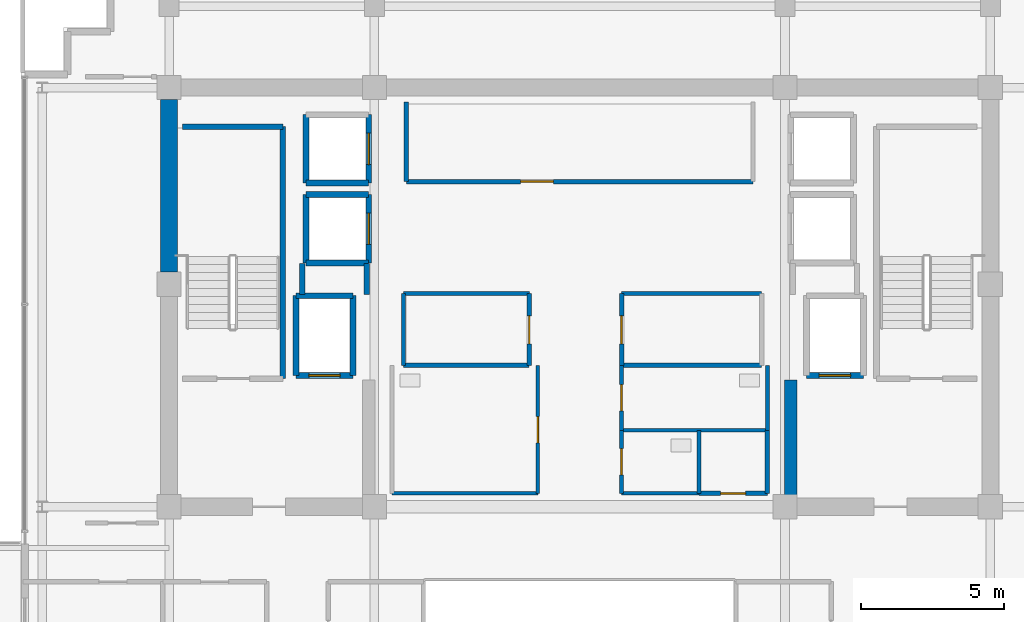
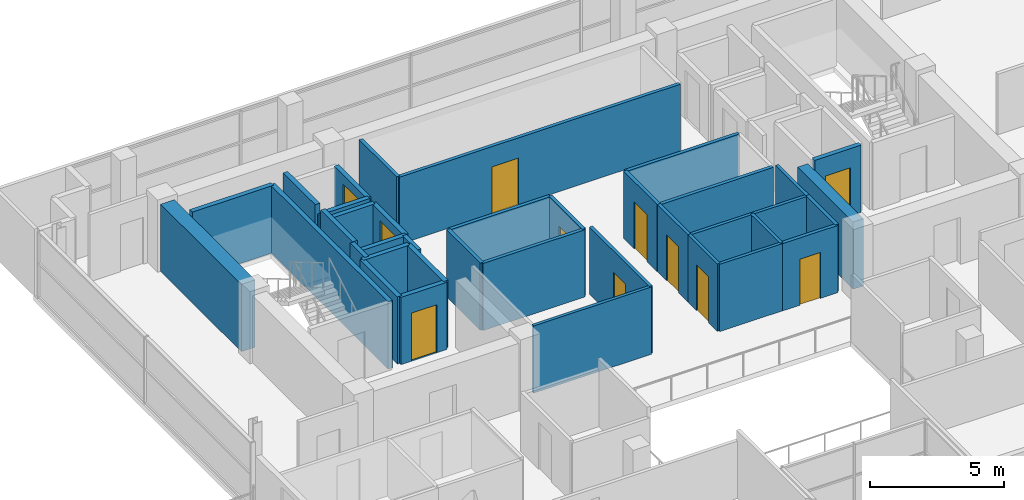
# One storey, part 16 of 21: 37 walls, 11 doors, 11 openings.
"""IFC4 building model written with IfcOpenShell, lengths in metres."""

from ifc_helpers import new_model, si_unit, direction, frame, frame_2d, origin, place, context, subcontext, project, spatial, rectangle, extrude, source, transform, mapped, material, layer, layer_set, type_object, element, fill, save


model = new_model("IFC4")

# Units and contexts
model_context = context("Model", 3, precision=1e-05, world=origin(), true_north=direction((0.0, 1.0)))
body_context = subcontext(model_context, "Body", "Model", "MODEL_VIEW")
ifc_project = project(units=[si_unit("LENGTHUNIT", "METRE"), si_unit("AREAUNIT", "SQUARE_METRE"), si_unit("VOLUMEUNIT", "CUBIC_METRE"), si_unit("PLANEANGLEUNIT", "RADIAN"), si_unit("MASSUNIT", "GRAM", prefix="KILO")], contexts=[model_context])

# Site, building, storey
site_placement = place(None, origin())
site = spatial("IfcSite", under=ifc_project, at=site_placement, CompositionType="ELEMENT")
building_placement = place(site_placement, origin())
building = spatial("IfcBuilding", under=site, at=building_placement, Name="Zarnakvel Exchange Tower", CompositionType="ELEMENT")
storey_placement = place(building_placement, frame((0.0, 0.0, 255.10009765625)))
storey = spatial("IfcBuildingStorey", under=building, at=storey_placement, Name="L72", CompositionType="ELEMENT", Elevation=255.10009765625)

# Walls
ifc_material_1 = material(Name="Concrete C50/60", Category="concrete")
ifc_layer_1 = layer(ifc_material_1, 0.60009765625)
ifc_layer_set_1 = layer_set([ifc_layer_1], Name="Concrete C50/60")
wall_type_1 = type_object("IfcWallType", Name="CW-C5", PredefinedType="SHEAR", material=ifc_layer_set_1)
wall_1_placement = place(storey_placement, frame((-14.39990234375, 7.02490234375, 0.0), z_axis=(0.0, 0.0, 1.0), x_axis=(0.0, 1.0, 0.0)))
element("IfcWall", 1, at=wall_1_placement, inside=storey, type_object=wall_type_1, Name="L72 Rear Core Shear Wall W2 (CW-C5)", PredefinedType="SHEAR", context=body_context, shape_type="SweptSolid", body=[
    extrude(rectangle(XDim=6.050048828125, YDim=0.60009765625, at=frame_2d((3.02490234375, 0.0))), origin(), (0.0, 0.0, 1.0), 3.074951171875),
])
ifc_layer_2 = layer(ifc_material_1, 0.449951171875)
ifc_layer_set_2 = layer_set([ifc_layer_2], Name="Concrete C50/60")
wall_type_2 = type_object("IfcWallType", Name="CW-C6", PredefinedType="SHEAR", material=ifc_layer_set_2)
wall_2_placement = place(storey_placement, frame((7.39990234375, -0.89990234375, 0.0), z_axis=(0.0, 0.0, 1.0), x_axis=(0.0, 1.0, 0.0)))
element("IfcWall", 2, at=wall_2_placement, inside=storey, type_object=wall_type_2, Name="L72 Rear Core Shear Wall IE (CW-C6)", PredefinedType="SHEAR", context=body_context, shape_type="SweptSolid", body=[
    extrude(rectangle(XDim=4.14990234375, YDim=0.449951171875, at=frame_2d((2.074951171875, 0.0))), origin(), (0.0, 0.0, 1.0), 3.074951171875),
])

# Wall, opening, door
ifc_material_2 = material(Name="Fire-Rated Gypsum Stud Partition", Category="gypsum")
ifc_layer_3 = layer(ifc_material_2, 0.14990234375)
ifc_layer_set_3 = layer_set([ifc_layer_3], Name="Fire-Rated Gypsum Stud Partition")
wall_type_3 = type_object("IfcWallType", Name="PT-01", PredefinedType="PARTITIONING", material=ifc_layer_set_3)
wall_3_placement = place(storey_placement, frame((6.080078125, 10.199951171875, 0.0), z_axis=(0.0, 0.0, 1.0), x_axis=(-1.0, 0.0, 0.0)))
wall_3 = element("IfcWall", 3, at=wall_3_placement, inside=storey, type_object=wall_type_3, Name="L72 Partition Wall PWALL-L72-011 (PT-01)", PredefinedType="PARTITIONING", context=body_context, shape_type="SweptSolid", body=[
    extrude(rectangle(XDim=12.16015625, YDim=0.14990234375, at=frame_2d((6.080078125, 0.0))), origin(), (0.0, 0.0, 1.0), 3.074951171875),
])
opening_1_placement = place(wall_3_placement, frame((7.0048828125, 0.0, 0.0)))
opening_1 = element("IfcOpeningElement", 4, at=opening_1_placement, cuts=wall_3, Name="Opening D-L72-05", PredefinedType="OPENING", context=body_context, shape_type="SweptSolid", body=[
    extrude(rectangle(XDim=1.14990234375, YDim=2.14990234375, at=frame_2d((0.574951171875, 1.074951171875))), frame((0.0, 0.0849609375, 0.0), z_axis=(0.0, -1.0, 0.0), x_axis=(1.0, 0.0, 0.0)), (0.0, 0.0, 1.0), 0.169921875),
])
ifc_material_3 = material(Name="Painted Galvanised Steel S355", Category="steel")
door_type_1 = type_object("IfcDoorType", Name="DT-04", OperationType="NOTDEFINED", PredefinedType="DOOR", material=ifc_material_3)
shared_shape_1 = source(origin(), body_context, "Body", "SweptSolid", [
    extrude(rectangle(XDim=1.14990234375, YDim=2.14990234375, at=frame_2d((0.574951171875, 1.074951171875))), frame((0.0, 0.02490234375, 0.0), z_axis=(0.0, -1.0, 0.0), x_axis=(1.0, 0.0, 0.0)), (0.0, 0.0, 1.0), 0.050048828125),
])
door_1_placement = place(opening_1_placement, origin())
door_1 = element("IfcDoor", 5, at=door_1_placement, inside=storey, type_object=door_type_1, Name="L72 Market Data Archive Suite Door D-L72-05", OperationType="SINGLE_SWING_RIGHT", OverallHeight=2.14990234375, OverallWidth=1.14990234375, PredefinedType="DOOR", context=body_context, shape_type="MappedRepresentation", body=[
    mapped(shared_shape_1, transform((0.0, 0.0, 0.0), x_axis=(1.0, 0.0, 0.0), y_axis=(0.0, 1.0, 0.0), z_axis=(0.0, 0.0, 1.0), scale=1.0)),
])
fill(opening_1, door_1)

# Walls
wall_4_placement = place(storey_placement, frame((-6.080078125, 10.199951171875, 0.0), z_axis=(0.0, 0.0, 1.0), x_axis=(0.0, 1.0, 0.0)))
element("IfcWall", 6, at=wall_4_placement, inside=storey, type_object=wall_type_3, Name="L72 Partition Wall PWALL-L72-012 (PT-01)", PredefinedType="PARTITIONING", context=body_context, shape_type="SweptSolid", body=[
    extrude(rectangle(XDim=2.800048828125, YDim=0.14990234375, at=frame_2d((1.39990234375, 0.0))), origin(), (0.0, 0.0, 1.0), 3.074951171875),
])
for number, where, z_axis, x_axis, name in (
    (7, (-1.77001953125, 3.760009765625, 0.0), (0.0, 0.0, 1.0), (-1.0, 0.0, 0.0), "L72 Partition Wall PWALL-L72-014 (PT-01)"),
    (8, (-6.179931640625, 6.280029296875, 0.0), (0.0, 0.0, 1.0), (1.0, 0.0, 0.0), "L72 Partition Wall PWALL-L72-015 (PT-01)"),
):
    element("IfcWall", number, at=place(storey_placement, frame(where, z_axis=z_axis, x_axis=x_axis)), inside=storey, type_object=wall_type_3, Name=name, PredefinedType="PARTITIONING", context=body_context, shape_type="SweptSolid", body=[
        extrude(rectangle(XDim=4.409912109375, YDim=0.14990234375, at=frame_2d((2.205078125, 0.0))), origin(), (0.0, 0.0, 1.0), 3.074951171875),
    ])
wall_5_placement = place(storey_placement, frame((-6.179931640625, 3.760009765625, 0.0), z_axis=(0.0, 0.0, 1.0), x_axis=(0.0, 1.0, 0.0)))
element("IfcWall", 9, at=wall_5_placement, inside=storey, type_object=wall_type_3, Name="L72 Partition Wall PWALL-L72-016 (PT-01)", PredefinedType="PARTITIONING", context=body_context, shape_type="SweptSolid", body=[
    extrude(rectangle(XDim=2.52001953125, YDim=0.14990234375, at=frame_2d((1.260009765625, 0.0))), origin(), (0.0, 0.0, 1.0), 3.074951171875),
])

# Wall, opening, door
wall_6_placement = place(storey_placement, frame((-1.77001953125, 6.280029296875, 0.0), z_axis=(0.0, 0.0, 1.0), x_axis=(0.0, -1.0, 0.0)))
wall_6 = element("IfcWall", 10, at=wall_6_placement, inside=storey, type_object=wall_type_3, Name="L72 Partition Wall PWALL-L72-017 (PT-01)", PredefinedType="PARTITIONING", context=body_context, shape_type="SweptSolid", body=[
    extrude(rectangle(XDim=2.52001953125, YDim=0.14990234375, at=frame_2d((1.260009765625, 0.0))), origin(), (0.0, 0.0, 1.0), 3.074951171875),
])
opening_2_placement = place(wall_6_placement, frame((0.7900390625, 0.0, 0.0)))
opening_2 = element("IfcOpeningElement", 11, at=opening_2_placement, cuts=wall_6, Name="Opening D-L72-06", PredefinedType="OPENING", context=body_context, shape_type="SweptSolid", body=[
    extrude(rectangle(XDim=0.97998046875, YDim=2.14990234375, at=frame_2d((0.489990234375, 1.074951171875))), frame((0.0, 0.0849609375, 0.0), z_axis=(0.0, -1.0, 0.0), x_axis=(1.0, 0.0, 0.0)), (0.0, 0.0, 1.0), 0.169921875),
])
ifc_material_4 = material(Name="Timber Acoustic Veneer", Category="wood")
door_type_2 = type_object("IfcDoorType", Name="DT-05", OperationType="NOTDEFINED", PredefinedType="DOOR", material=ifc_material_4)
shared_shape_2 = source(origin(), body_context, "Body", "SweptSolid", [
    extrude(rectangle(XDim=0.97998046875, YDim=2.14990234375, at=frame_2d((0.489990234375, 1.074951171875))), frame((0.0, 0.02490234375, 0.0), z_axis=(0.0, -1.0, 0.0), x_axis=(1.0, 0.0, 0.0)), (0.0, 0.0, 1.0), 0.050048828125),
])
door_2_placement = place(opening_2_placement, origin())
door_2 = element("IfcDoor", 12, at=door_2_placement, inside=storey, type_object=door_type_2, Name="L72 Sovereign Compliance Office Door D-L72-06", OperationType="SINGLE_SWING_LEFT", OverallHeight=2.14990234375, OverallWidth=0.97998046875, PredefinedType="DOOR", context=body_context, shape_type="MappedRepresentation", body=[
    mapped(shared_shape_2, transform((0.0, 0.0, 0.0), x_axis=(1.0, 0.0, 0.0), y_axis=(0.0, 1.0, 0.0), z_axis=(0.0, 0.0, 1.0), scale=1.0)),
])
fill(opening_2, door_2)

# Walls
for number, where, z_axis, x_axis, name in (
    (13, (6.3798828125, 3.760009765625, 0.0), (0.0, 0.0, 1.0), (-1.0, 0.0, 0.0), "L72 Partition Wall PWALL-L72-018 (PT-01)"),
    (14, (1.469970703125, 6.280029296875, 0.0), (0.0, 0.0, 1.0), (1.0, 0.0, 0.0), "L72 Partition Wall PWALL-L72-019 (PT-01)"),
):
    element("IfcWall", number, at=place(storey_placement, frame(where, z_axis=z_axis, x_axis=x_axis)), inside=storey, type_object=wall_type_3, Name=name, PredefinedType="PARTITIONING", context=body_context, shape_type="SweptSolid", body=[
        extrude(rectangle(XDim=4.909912109375, YDim=0.14990234375, at=frame_2d((2.455078125, 0.0))), origin(), (0.0, 0.0, 1.0), 3.074951171875),
    ])

# Wall, opening, door
wall_7_placement = place(storey_placement, frame((1.469970703125, 3.760009765625, 0.0), z_axis=(0.0, 0.0, 1.0), x_axis=(0.0, 1.0, 0.0)))
wall_7 = element("IfcWall", 15, at=wall_7_placement, inside=storey, type_object=wall_type_3, Name="L72 Partition Wall PWALL-L72-020 (PT-01)", PredefinedType="PARTITIONING", context=body_context, shape_type="SweptSolid", body=[
    extrude(rectangle(XDim=2.52001953125, YDim=0.14990234375, at=frame_2d((1.260009765625, 0.0))), origin(), (0.0, 0.0, 1.0), 3.074951171875),
])
opening_3_placement = place(wall_7_placement, frame((0.75, 0.0, 0.0)))
opening_3 = element("IfcOpeningElement", 16, at=opening_3_placement, cuts=wall_7, Name="Opening D-L72-07", PredefinedType="OPENING", context=body_context, shape_type="SweptSolid", body=[
    extrude(rectangle(XDim=0.97998046875, YDim=2.14990234375, at=frame_2d((0.489990234375, 1.074951171875))), frame((0.0, 0.0849609375, 0.0), z_axis=(0.0, -1.0, 0.0), x_axis=(1.0, 0.0, 0.0)), (0.0, 0.0, 1.0), 0.169921875),
])
door_3_placement = place(opening_3_placement, origin())
door_3 = element("IfcDoor", 17, at=door_3_placement, inside=storey, type_object=door_type_2, Name="L72 Depository Legal Office Door D-L72-07", OperationType="SINGLE_SWING_RIGHT", OverallHeight=2.14990234375, OverallWidth=0.97998046875, PredefinedType="DOOR", context=body_context, shape_type="MappedRepresentation", body=[
    mapped(shared_shape_2, transform((0.0, 0.0, 0.0), x_axis=(1.0, 0.0, 0.0), y_axis=(0.0, 1.0, 0.0), z_axis=(0.0, 0.0, 1.0), scale=1.0)),
])
fill(opening_3, door_3)

wall_8_placement = place(storey_placement, frame((6.580078125, -0.72998046875, 0.0), z_axis=(0.0, 0.0, 1.0), x_axis=(-1.0, 0.0, 0.0)))
wall_8 = element("IfcWall", 18, at=wall_8_placement, inside=storey, type_object=wall_type_3, Name="L72 Partition Wall PWALL-L72-031 (PT-01)", PredefinedType="PARTITIONING", context=body_context, shape_type="SweptSolid", body=[
    extrude(rectangle(XDim=2.400146484375, YDim=0.14990234375, at=frame_2d((1.2001953125, 0.0))), origin(), (0.0, 0.0, 1.0), 3.074951171875),
])
opening_4_placement = place(wall_8_placement, frame((0.760009765625, 0.0, 0.0)))
opening_4 = element("IfcOpeningElement", 19, at=opening_4_placement, cuts=wall_8, Name="Opening D-L72-11", PredefinedType="OPENING", context=body_context, shape_type="SweptSolid", body=[
    extrude(rectangle(XDim=0.8798828125, YDim=2.10009765625, at=frame_2d((0.43994140625, 1.050048828125))), frame((0.0, 0.0849609375, 0.0), z_axis=(0.0, -1.0, 0.0), x_axis=(1.0, 0.0, 0.0)), (0.0, 0.0, 1.0), 0.169921875),
])
door_type_3 = type_object("IfcDoorType", Name="DT-08", OperationType="NOTDEFINED", PredefinedType="DOOR", material=ifc_material_3)
shared_shape_3 = source(origin(), body_context, "Body", "SweptSolid", [
    extrude(rectangle(XDim=0.8798828125, YDim=2.10009765625, at=frame_2d((0.43994140625, 1.050048828125))), frame((0.0, 0.02490234375, 0.0), z_axis=(0.0, -1.0, 0.0), x_axis=(1.0, 0.0, 0.0)), (0.0, 0.0, 1.0), 0.050048828125),
])
door_4_placement = place(opening_4_placement, origin())
door_4 = element("IfcDoor", 20, at=door_4_placement, inside=storey, type_object=door_type_3, Name="L72 Cleaners Store Door D-L72-11", OperationType="SINGLE_SWING_RIGHT", OverallHeight=2.10009765625, OverallWidth=0.8798828125, PredefinedType="DOOR", context=body_context, shape_type="MappedRepresentation", body=[
    mapped(shared_shape_3, transform((0.0, 0.0, 0.0), x_axis=(1.0, 0.0, 0.0), y_axis=(0.0, 1.0, 0.0), z_axis=(0.0, 0.0, 1.0), scale=1.0)),
])
fill(opening_4, door_4)

# Walls
wall_9_placement = place(storey_placement, frame((6.580078125, 1.47998046875, 0.0), z_axis=(0.0, 0.0, 1.0), x_axis=(0.0, -1.0, 0.0)))
element("IfcWall", 21, at=wall_9_placement, inside=storey, type_object=wall_type_3, Name="L72 Partition Wall PWALL-L72-032 (PT-01)", PredefinedType="PARTITIONING", context=body_context, shape_type="SweptSolid", body=[
    extrude(rectangle(XDim=2.2099609375, YDim=0.14990234375, at=frame_2d((1.10498046875, 0.0))), origin(), (0.0, 0.0, 1.0), 3.074951171875),
])
ifc_layer_4 = layer(ifc_material_2, 0.179931640625)
ifc_layer_set_4 = layer_set([ifc_layer_4], Name="Fire-Rated Gypsum Stud Partition")
wall_type_4 = type_object("IfcWallType", Name="PT-02", PredefinedType="PARTITIONING", material=ifc_layer_set_4)
wall_10_placement = place(storey_placement, frame((-9.72998046875, 6.239990234375, 0.0), z_axis=(0.0, 0.0, 1.0), x_axis=(0.0, 1.0, 0.0)))
element("IfcWall", 22, at=wall_10_placement, inside=storey, type_object=wall_type_4, Name="L72 Partition Wall PWALL-L72-007 (PT-02)", PredefinedType="PARTITIONING", context=body_context, shape_type="SweptSolid", body=[
    extrude(rectangle(XDim=1.090087890625, YDim=0.179931640625, at=frame_2d((0.544921875, 0.0))), origin(), (0.0, 0.0, 1.0), 3.074951171875),
])
wall_11_placement = place(storey_placement, frame((-7.469970703125, 7.330078125, 0.0), z_axis=(0.0, 0.0, 1.0), x_axis=(0.0, -1.0, 0.0)))
element("IfcWall", 23, at=wall_11_placement, inside=storey, type_object=wall_type_4, Name="L72 Partition Wall PWALL-L72-008 (PT-02)", PredefinedType="PARTITIONING", context=body_context, shape_type="SweptSolid", body=[
    extrude(rectangle(XDim=1.090087890625, YDim=0.179931640625, at=frame_2d((0.544921875, 0.0))), origin(), (0.0, 0.0, 1.0), 2.614990234375),
])
ifc_material_5 = material(Name="Moisture-Resistant Tile-Faced Partition", Category="gypsum")
ifc_layer_5 = layer(ifc_material_5, 0.135009765625)
ifc_layer_set_5 = layer_set([ifc_layer_5], Name="Moisture-Resistant Tile-Faced Partition")
wall_type_5 = type_object("IfcWallType", Name="PT-03", PredefinedType="PARTITIONING", material=ifc_layer_set_5)
wall_12_placement = place(storey_placement, frame((-1.469970703125, -0.72998046875, 0.0), z_axis=(0.0, 0.0, 1.0), x_axis=(-1.0, 0.0, 0.0)))
element("IfcWall", 24, at=wall_12_placement, inside=storey, type_object=wall_type_5, Name="L72 Partition Wall PWALL-L72-022 (PT-03)", PredefinedType="PARTITIONING", context=body_context, shape_type="SweptSolid", body=[
    extrude(rectangle(XDim=5.110107421875, YDim=0.135009765625, at=frame_2d((2.55517578125, 0.0))), origin(), (0.0, 0.0, 1.0), 3.074951171875),
])

# Wall, opening, door
wall_13_placement = place(storey_placement, frame((-1.469970703125, 3.760009765625, 0.0), z_axis=(0.0, 0.0, 1.0), x_axis=(0.0, -1.0, 0.0)))
wall_13 = element("IfcWall", 25, at=wall_13_placement, inside=storey, type_object=wall_type_5, Name="L72 Partition Wall PWALL-L72-024 (PT-03)", PredefinedType="PARTITIONING", context=body_context, shape_type="SweptSolid", body=[
    extrude(rectangle(XDim=4.489990234375, YDim=0.135009765625, at=frame_2d((2.2451171875, 0.0))), origin(), (0.0, 0.0, 1.0), 3.074951171875),
])
opening_5_placement = place(wall_13_placement, frame((1.800048828125, 0.0, 0.0)))
opening_5 = element("IfcOpeningElement", 26, at=opening_5_placement, cuts=wall_13, Name="Opening D-L72-08", PredefinedType="OPENING", context=body_context, shape_type="SweptSolid", body=[
    extrude(rectangle(XDim=0.919921875, YDim=2.10009765625, at=frame_2d((0.4599609375, 1.050048828125))), frame((0.0, 0.077392578125, 0.0), z_axis=(0.0, -1.0, 0.0), x_axis=(1.0, 0.0, 0.0)), (0.0, 0.0, 1.0), 0.155029296875),
])
ifc_material_6 = material(Name="Moisture-Resistant Laminate Timber", Category="wood")
door_type_4 = type_object("IfcDoorType", Name="DT-07", OperationType="NOTDEFINED", PredefinedType="DOOR", material=ifc_material_6)
shared_shape_4 = source(origin(), body_context, "Body", "SweptSolid", [
    extrude(rectangle(XDim=0.919921875, YDim=2.10009765625, at=frame_2d((0.4599609375, 1.050048828125))), frame((0.0, 0.02490234375, 0.0), z_axis=(0.0, -1.0, 0.0), x_axis=(1.0, 0.0, 0.0)), (0.0, 0.0, 1.0), 0.050048828125),
])
door_5_placement = place(opening_5_placement, origin())
door_5 = element("IfcDoor", 27, at=door_5_placement, inside=storey, type_object=door_type_4, Name="L72 Male Toilet Door D-L72-08", OperationType="SINGLE_SWING_LEFT", OverallHeight=2.10009765625, OverallWidth=0.919921875, PredefinedType="DOOR", context=body_context, shape_type="MappedRepresentation", body=[
    mapped(shared_shape_4, transform((0.0, 0.0, 0.0), x_axis=(1.0, 0.0, 0.0), y_axis=(0.0, 1.0, 0.0), z_axis=(0.0, 0.0, 1.0), scale=1.0)),
])
fill(opening_5, door_5)

# Wall
wall_14_placement = place(storey_placement, frame((6.580078125, 1.47998046875, 0.0), z_axis=(0.0, 0.0, 1.0), x_axis=(-1.0, 0.0, 0.0)))
element("IfcWall", 28, at=wall_14_placement, inside=storey, type_object=wall_type_5, Name="L72 Partition Wall PWALL-L72-025 (PT-03)", PredefinedType="PARTITIONING", context=body_context, shape_type="SweptSolid", body=[
    extrude(rectangle(XDim=5.110107421875, YDim=0.135009765625, at=frame_2d((2.55517578125, 0.0))), origin(), (0.0, 0.0, 1.0), 3.074951171875),
])

# Wall, opening, door
wall_15_placement = place(storey_placement, frame((1.469970703125, 1.47998046875, 0.0), z_axis=(0.0, 0.0, 1.0), x_axis=(0.0, 1.0, 0.0)))
wall_15 = element("IfcWall", 29, at=wall_15_placement, inside=storey, type_object=wall_type_5, Name="L72 Partition Wall PWALL-L72-026 (PT-03)", PredefinedType="PARTITIONING", context=body_context, shape_type="SweptSolid", body=[
    extrude(rectangle(XDim=2.280029296875, YDim=0.135009765625, at=frame_2d((1.14013671875, 0.0))), origin(), (0.0, 0.0, 1.0), 3.074951171875),
])
opening_6_placement = place(wall_15_placement, frame((0.679931640625, 0.0, 0.0)))
opening_6 = element("IfcOpeningElement", 30, at=opening_6_placement, cuts=wall_15, Name="Opening D-L72-09", PredefinedType="OPENING", context=body_context, shape_type="SweptSolid", body=[
    extrude(rectangle(XDim=0.919921875, YDim=2.10009765625, at=frame_2d((0.4599609375, 1.050048828125))), frame((0.0, 0.077392578125, 0.0), z_axis=(0.0, -1.0, 0.0), x_axis=(1.0, 0.0, 0.0)), (0.0, 0.0, 1.0), 0.155029296875),
])
door_6_placement = place(opening_6_placement, origin())
door_6 = element("IfcDoor", 31, at=door_6_placement, inside=storey, type_object=door_type_4, Name="L72 Female Toilet Door D-L72-09", OperationType="SINGLE_SWING_RIGHT", OverallHeight=2.10009765625, OverallWidth=0.919921875, PredefinedType="DOOR", context=body_context, shape_type="MappedRepresentation", body=[
    mapped(shared_shape_4, transform((0.0, 0.0, 0.0), x_axis=(1.0, 0.0, 0.0), y_axis=(0.0, 1.0, 0.0), z_axis=(0.0, 0.0, 1.0), scale=1.0)),
])
fill(opening_6, door_6)

# Walls
wall_16_placement = place(storey_placement, frame((6.580078125, 3.760009765625, 0.0), z_axis=(0.0, 0.0, 1.0), x_axis=(0.0, -1.0, 0.0)))
element("IfcWall", 32, at=wall_16_placement, inside=storey, type_object=wall_type_5, Name="L72 Partition Wall PWALL-L72-027 (PT-03)", PredefinedType="PARTITIONING", context=body_context, shape_type="SweptSolid", body=[
    extrude(rectangle(XDim=2.280029296875, YDim=0.135009765625, at=frame_2d((1.14013671875, 0.0))), origin(), (0.0, 0.0, 1.0), 3.074951171875),
])
wall_17_placement = place(storey_placement, frame((4.179931640625, -0.72998046875, 0.0), z_axis=(0.0, 0.0, 1.0), x_axis=(-1.0, 0.0, 0.0)))
element("IfcWall", 33, at=wall_17_placement, inside=storey, type_object=wall_type_5, Name="L72 Partition Wall PWALL-L72-028 (PT-03)", PredefinedType="PARTITIONING", context=body_context, shape_type="SweptSolid", body=[
    extrude(rectangle(XDim=2.7099609375, YDim=0.135009765625, at=frame_2d((1.35498046875, 0.0))), origin(), (0.0, 0.0, 1.0), 3.074951171875),
])

# Wall, opening, door
wall_18_placement = place(storey_placement, frame((1.469970703125, -0.72998046875, 0.0), z_axis=(0.0, 0.0, 1.0), x_axis=(0.0, 1.0, 0.0)))
wall_18 = element("IfcWall", 34, at=wall_18_placement, inside=storey, type_object=wall_type_5, Name="L72 Partition Wall PWALL-L72-029 (PT-03)", PredefinedType="PARTITIONING", context=body_context, shape_type="SweptSolid", body=[
    extrude(rectangle(XDim=2.2099609375, YDim=0.135009765625, at=frame_2d((1.10498046875, 0.0))), origin(), (0.0, 0.0, 1.0), 3.074951171875),
])
opening_7_placement = place(wall_18_placement, frame((0.64990234375, 0.0, 0.0)))
opening_7 = element("IfcOpeningElement", 35, at=opening_7_placement, cuts=wall_18, Name="Opening D-L72-10", PredefinedType="OPENING", context=body_context, shape_type="SweptSolid", body=[
    extrude(rectangle(XDim=0.919921875, YDim=2.10009765625, at=frame_2d((0.4599609375, 1.050048828125))), frame((0.0, 0.077392578125, 0.0), z_axis=(0.0, -1.0, 0.0), x_axis=(1.0, 0.0, 0.0)), (0.0, 0.0, 1.0), 0.155029296875),
])
door_7_placement = place(opening_7_placement, origin())
door_7 = element("IfcDoor", 36, at=door_7_placement, inside=storey, type_object=door_type_4, Name="L72 Accessible Toilet Door D-L72-10", OperationType="SINGLE_SWING_LEFT", OverallHeight=2.10009765625, OverallWidth=0.919921875, PredefinedType="DOOR", context=body_context, shape_type="MappedRepresentation", body=[
    mapped(shared_shape_4, transform((0.0, 0.0, 0.0), x_axis=(1.0, 0.0, 0.0), y_axis=(0.0, 1.0, 0.0), z_axis=(0.0, 0.0, 1.0), scale=1.0)),
])
fill(opening_7, door_7)

# Wall
wall_19_placement = place(storey_placement, frame((4.179931640625, 1.47998046875, 0.0), z_axis=(0.0, 0.0, 1.0), x_axis=(0.0, -1.0, 0.0)))
element("IfcWall", 37, at=wall_19_placement, inside=storey, type_object=wall_type_5, Name="L72 Partition Wall PWALL-L72-030 (PT-03)", PredefinedType="PARTITIONING", context=body_context, shape_type="SweptSolid", body=[
    extrude(rectangle(XDim=2.2099609375, YDim=0.135009765625, at=frame_2d((1.10498046875, 0.0))), origin(), (0.0, 0.0, 1.0), 3.074951171875),
])

# Wall, opening, door
ifc_material_7 = material(Name="Concrete C40/50", Category="concrete")
ifc_layer_6 = layer(ifc_material_7, 0.199951171875)
ifc_layer_set_6 = layer_set([ifc_layer_6], Name="Concrete C40/50")
wall_type_6 = type_object("IfcWallType", Name="SW-01", PredefinedType="SOLIDWALL", material=ifc_layer_set_6)
wall_20_placement = place(storey_placement, frame((-7.949951171875, 3.39990234375, 0.0), z_axis=(0.0, 0.0, 1.0), x_axis=(-1.0, 0.0, 0.0)))
wall_20 = element("IfcWall", 38, at=wall_20_placement, inside=storey, type_object=wall_type_6, Name="L72 FL-01 Hoistway Wall South", PredefinedType="SOLIDWALL", context=body_context, shape_type="SweptSolid", body=[
    extrude(rectangle(XDim=2.0, YDim=0.199951171875, at=frame_2d((1.0, 0.0))), origin(), (0.0, 0.0, 1.0), 3.074951171875),
])
opening_8_placement = place(wall_20_placement, frame((0.449951171875, 0.0, 0.0)))
opening_8 = element("IfcOpeningElement", 39, at=opening_8_placement, cuts=wall_20, Name="Opening LD-FL-01-L72", PredefinedType="OPENING", context=body_context, shape_type="SweptSolid", body=[
    extrude(rectangle(XDim=1.10009765625, YDim=2.199951171875, at=frame_2d((0.550048828125, 1.10009765625))), frame((0.0, 0.10986328125, 0.0), z_axis=(0.0, -1.0, 0.0), x_axis=(1.0, 0.0, 0.0)), (0.0, 0.0, 1.0), 0.219970703125),
])
ifc_material_8 = material(Name="Brushed Stainless Steel", Category="steel")
door_type_5 = type_object("IfcDoorType", Name="LDT-01", OperationType="NOTDEFINED", PredefinedType="DOOR", material=ifc_material_8)
shared_shape_5 = source(origin(), body_context, "Body", "SweptSolid", [
    extrude(rectangle(XDim=1.10009765625, YDim=2.199951171875, at=frame_2d((0.550048828125, 1.10009765625))), frame((0.0, 0.02490234375, 0.0), z_axis=(0.0, -1.0, 0.0), x_axis=(1.0, 0.0, 0.0)), (0.0, 0.0, 1.0), 0.050048828125),
])
door_8_placement = place(opening_8_placement, origin())
door_8 = element("IfcDoor", 40, at=door_8_placement, inside=storey, type_object=door_type_5, Name="L72 FL-01 Lift Landing Door LD-FL-01-L72", OperationType="DOUBLE_DOOR_SLIDING", OverallHeight=2.199951171875, OverallWidth=1.10009765625, PredefinedType="DOOR", context=body_context, shape_type="MappedRepresentation", body=[
    mapped(shared_shape_5, transform((0.0, 0.0, 0.0), x_axis=(1.0, 0.0, 0.0), y_axis=(0.0, 1.0, 0.0), z_axis=(0.0, 0.0, 1.0), scale=1.0)),
])
fill(opening_8, door_8)

# Walls
wall_21_placement = place(storey_placement, frame((-9.949951171875, 6.199951171875, 0.0), z_axis=(0.0, 0.0, 1.0), x_axis=(1.0, 0.0, 0.0)))
element("IfcWall", 41, at=wall_21_placement, inside=storey, type_object=wall_type_6, Name="L72 FL-01 Hoistway Wall North", PredefinedType="SOLIDWALL", context=body_context, shape_type="SweptSolid", body=[
    extrude(rectangle(XDim=2.0, YDim=0.199951171875, at=frame_2d((1.0, 0.0))), origin(), (0.0, 0.0, 1.0), 3.074951171875),
])
for number, where, z_axis, x_axis, name in (
    (42, (-9.949951171875, 3.39990234375, 0.0), (0.0, 0.0, 1.0), (0.0, 1.0, 0.0), "L72 FL-01 Hoistway Wall West"),
    (43, (-7.949951171875, 6.199951171875, 0.0), (0.0, 0.0, 1.0), (0.0, -1.0, 0.0), "L72 FL-01 Hoistway Wall East"),
):
    element("IfcWall", number, at=place(storey_placement, frame(where, z_axis=z_axis, x_axis=x_axis)), inside=storey, type_object=wall_type_6, Name=name, PredefinedType="SOLIDWALL", context=body_context, shape_type="SweptSolid", body=[
        extrude(rectangle(XDim=2.800048828125, YDim=0.199951171875, at=frame_2d((1.39990234375, 0.0))), origin(), (0.0, 0.0, 1.0), 3.074951171875),
    ])

# Wall, opening, door
wall_22_placement = place(storey_placement, frame((9.949951171875, 3.39990234375, 0.0), z_axis=(0.0, 0.0, 1.0), x_axis=(-1.0, 0.0, 0.0)))
wall_22 = element("IfcWall", 44, at=wall_22_placement, inside=storey, type_object=wall_type_6, Name="L72 FL-02 Hoistway Wall South", PredefinedType="SOLIDWALL", context=body_context, shape_type="SweptSolid", body=[
    extrude(rectangle(XDim=2.0, YDim=0.199951171875, at=frame_2d((1.0, 0.0))), origin(), (0.0, 0.0, 1.0), 3.074951171875),
])
opening_9_placement = place(wall_22_placement, frame((0.449951171875, 0.0, 0.0)))
opening_9 = element("IfcOpeningElement", 45, at=opening_9_placement, cuts=wall_22, Name="Opening LD-FL-02-L72", PredefinedType="OPENING", context=body_context, shape_type="SweptSolid", body=[
    extrude(rectangle(XDim=1.10009765625, YDim=2.199951171875, at=frame_2d((0.550048828125, 1.10009765625))), frame((0.0, 0.10986328125, 0.0), z_axis=(0.0, -1.0, 0.0), x_axis=(1.0, 0.0, 0.0)), (0.0, 0.0, 1.0), 0.219970703125),
])
door_9_placement = place(opening_9_placement, origin())
door_9 = element("IfcDoor", 46, at=door_9_placement, inside=storey, type_object=door_type_5, Name="L72 FL-02 Lift Landing Door LD-FL-02-L72", OperationType="DOUBLE_DOOR_SLIDING", OverallHeight=2.199951171875, OverallWidth=1.10009765625, PredefinedType="DOOR", context=body_context, shape_type="MappedRepresentation", body=[
    mapped(shared_shape_5, transform((0.0, 0.0, 0.0), x_axis=(1.0, 0.0, 0.0), y_axis=(0.0, 1.0, 0.0), z_axis=(0.0, 0.0, 1.0), scale=1.0)),
])
fill(opening_9, door_9)

# Walls
for number, where, z_axis, x_axis, name in (
    (47, (-7.39990234375, 7.35009765625, 0.0), (0.0, 0.0, 1.0), (-1.0, 0.0, 0.0), "L72 PL-09 Hoistway Wall South"),
    (48, (-9.60009765625, 9.75, 0.0), (0.0, 0.0, 1.0), (1.0, 0.0, 0.0), "L72 PL-09 Hoistway Wall North"),
):
    element("IfcWall", number, at=place(storey_placement, frame(where, z_axis=z_axis, x_axis=x_axis)), inside=storey, type_object=wall_type_6, Name=name, PredefinedType="SOLIDWALL", context=body_context, shape_type="SweptSolid", body=[
        extrude(rectangle(XDim=2.2001953125, YDim=0.199951171875, at=frame_2d((1.10009765625, 0.0))), origin(), (0.0, 0.0, 1.0), 2.614990234375),
    ])
wall_23_placement = place(storey_placement, frame((-9.60009765625, 7.35009765625, 0.0), z_axis=(0.0, 0.0, 1.0), x_axis=(0.0, 1.0, 0.0)))
element("IfcWall", 49, at=wall_23_placement, inside=storey, type_object=wall_type_6, Name="L72 PL-09 Hoistway Wall West", PredefinedType="SOLIDWALL", context=body_context, shape_type="SweptSolid", body=[
    extrude(rectangle(XDim=2.39990234375, YDim=0.199951171875, at=frame_2d((1.199951171875, 0.0))), origin(), (0.0, 0.0, 1.0), 3.074951171875),
])

# Wall, opening, door
wall_24_placement = place(storey_placement, frame((-7.39990234375, 9.75, 0.0), z_axis=(0.0, 0.0, 1.0), x_axis=(0.0, -1.0, 0.0)))
wall_24 = element("IfcWall", 50, at=wall_24_placement, inside=storey, type_object=wall_type_6, Name="L72 PL-09 Hoistway Wall East", PredefinedType="SOLIDWALL", context=body_context, shape_type="SweptSolid", body=[
    extrude(rectangle(XDim=2.39990234375, YDim=0.199951171875, at=frame_2d((1.199951171875, 0.0))), origin(), (0.0, 0.0, 1.0), 2.614990234375),
])
opening_10_placement = place(wall_24_placement, frame((0.64990234375, 0.0, 0.0)))
opening_10 = element("IfcOpeningElement", 51, at=opening_10_placement, cuts=wall_24, Name="Opening LD-PL-09-L72", PredefinedType="OPENING", context=body_context, shape_type="SweptSolid", body=[
    extrude(rectangle(XDim=1.10009765625, YDim=2.199951171875, at=frame_2d((0.550048828125, 1.10009765625))), frame((0.0, 0.10986328125, 0.0), z_axis=(0.0, -1.0, 0.0), x_axis=(1.0, 0.0, 0.0)), (0.0, 0.0, 1.0), 0.219970703125),
])
ifc_material_9 = material(Name="Architectural Bronze Anodised Aluminium", Category="aluminium")
door_type_6 = type_object("IfcDoorType", Name="LDT-02", OperationType="NOTDEFINED", PredefinedType="DOOR", material=ifc_material_9)
door_10_placement = place(opening_10_placement, origin())
door_10 = element("IfcDoor", 52, at=door_10_placement, inside=storey, type_object=door_type_6, Name="L72 PL-09 Lift Landing Door LD-PL-09-L72", OperationType="DOUBLE_DOOR_SLIDING", OverallHeight=2.199951171875, OverallWidth=1.10009765625, PredefinedType="DOOR", context=body_context, shape_type="MappedRepresentation", body=[
    mapped(shared_shape_5, transform((0.0, 0.0, 0.0), x_axis=(1.0, 0.0, 0.0), y_axis=(0.0, 1.0, 0.0), z_axis=(0.0, 0.0, 1.0), scale=1.0)),
])
fill(opening_10, door_10)

# Walls
wall_25_placement = place(storey_placement, frame((-7.39990234375, 10.14990234375, 0.0), z_axis=(0.0, 0.0, 1.0), x_axis=(-1.0, 0.0, 0.0)))
element("IfcWall", 53, at=wall_25_placement, inside=storey, type_object=wall_type_6, Name="L72 PL-10 Hoistway Wall South", PredefinedType="SOLIDWALL", context=body_context, shape_type="SweptSolid", body=[
    extrude(rectangle(XDim=2.2001953125, YDim=0.199951171875, at=frame_2d((1.10009765625, 0.0))), origin(), (0.0, 0.0, 1.0), 2.614990234375),
])
wall_26_placement = place(storey_placement, frame((-9.60009765625, 10.14990234375, 0.0), z_axis=(0.0, 0.0, 1.0), x_axis=(0.0, 1.0, 0.0)))
element("IfcWall", 54, at=wall_26_placement, inside=storey, type_object=wall_type_6, Name="L72 PL-10 Hoistway Wall West", PredefinedType="SOLIDWALL", context=body_context, shape_type="SweptSolid", body=[
    extrude(rectangle(XDim=2.400146484375, YDim=0.199951171875, at=frame_2d((1.2001953125, 0.0))), origin(), (0.0, 0.0, 1.0), 3.074951171875),
])

# Wall, opening, door
wall_27_placement = place(storey_placement, frame((-7.39990234375, 12.550048828125, 0.0), z_axis=(0.0, 0.0, 1.0), x_axis=(0.0, -1.0, 0.0)))
wall_27 = element("IfcWall", 55, at=wall_27_placement, inside=storey, type_object=wall_type_6, Name="L72 PL-10 Hoistway Wall East", PredefinedType="SOLIDWALL", context=body_context, shape_type="SweptSolid", body=[
    extrude(rectangle(XDim=2.400146484375, YDim=0.199951171875, at=frame_2d((1.2001953125, 0.0))), origin(), (0.0, 0.0, 1.0), 2.614990234375),
])
opening_11_placement = place(wall_27_placement, frame((0.64990234375, 0.0, 0.0)))
opening_11 = element("IfcOpeningElement", 56, at=opening_11_placement, cuts=wall_27, Name="Opening LD-PL-10-L72", PredefinedType="OPENING", context=body_context, shape_type="SweptSolid", body=[
    extrude(rectangle(XDim=1.10009765625, YDim=2.199951171875, at=frame_2d((0.550048828125, 1.10009765625))), frame((0.0, 0.10986328125, 0.0), z_axis=(0.0, -1.0, 0.0), x_axis=(1.0, 0.0, 0.0)), (0.0, 0.0, 1.0), 0.219970703125),
])
door_11_placement = place(opening_11_placement, origin())
door_11 = element("IfcDoor", 57, at=door_11_placement, inside=storey, type_object=door_type_6, Name="L72 PL-10 Lift Landing Door LD-PL-10-L72", OperationType="DOUBLE_DOOR_SLIDING", OverallHeight=2.199951171875, OverallWidth=1.10009765625, PredefinedType="DOOR", context=body_context, shape_type="MappedRepresentation", body=[
    mapped(shared_shape_5, transform((0.0, 0.0, 0.0), x_axis=(1.0, 0.0, 0.0), y_axis=(0.0, 1.0, 0.0), z_axis=(0.0, 0.0, 1.0), scale=1.0)),
])
fill(opening_11, door_11)

# Walls
ifc_layer_7 = layer(ifc_material_7, 0.199951171875)
ifc_layer_set_7 = layer_set([ifc_layer_7], Name="Concrete C40/50")
wall_type_7 = type_object("IfcWallType", Name="SW-02", PredefinedType="SOLIDWALL", material=ifc_layer_set_7)
wall_28_placement = place(storey_placement, frame((-13.929931640625, 12.1298828125, 0.0), z_axis=(0.0, 0.0, 1.0), x_axis=(1.0, 0.0, 0.0)))
element("IfcWall", 58, at=wall_28_placement, inside=storey, type_object=wall_type_7, Name="L72 Stairwell Core Wall PWALL-L72-002 (SW-02)", PredefinedType="SOLIDWALL", context=body_context, shape_type="SweptSolid", body=[
    extrude(rectangle(XDim=3.52001953125, YDim=0.199951171875, at=frame_2d((1.760009765625, 0.0))), origin(), (0.0, 0.0, 1.0), 3.074951171875),
])
wall_29_placement = place(storey_placement, frame((-10.409912109375, 12.1298828125, 0.0), z_axis=(0.0, 0.0, 1.0), x_axis=(0.0, -1.0, 0.0)))
element("IfcWall", 59, at=wall_29_placement, inside=storey, type_object=wall_type_7, Name="L72 Stairwell Core Wall PWALL-L72-003 (SW-02)", PredefinedType="SOLIDWALL", context=body_context, shape_type="SweptSolid", body=[
    extrude(rectangle(XDim=8.83984375, YDim=0.199951171875, at=frame_2d((4.419921875, 0.0))), origin(), (0.0, 0.0, 1.0), 3.074951171875),
])

save(model, "model.ifc")
